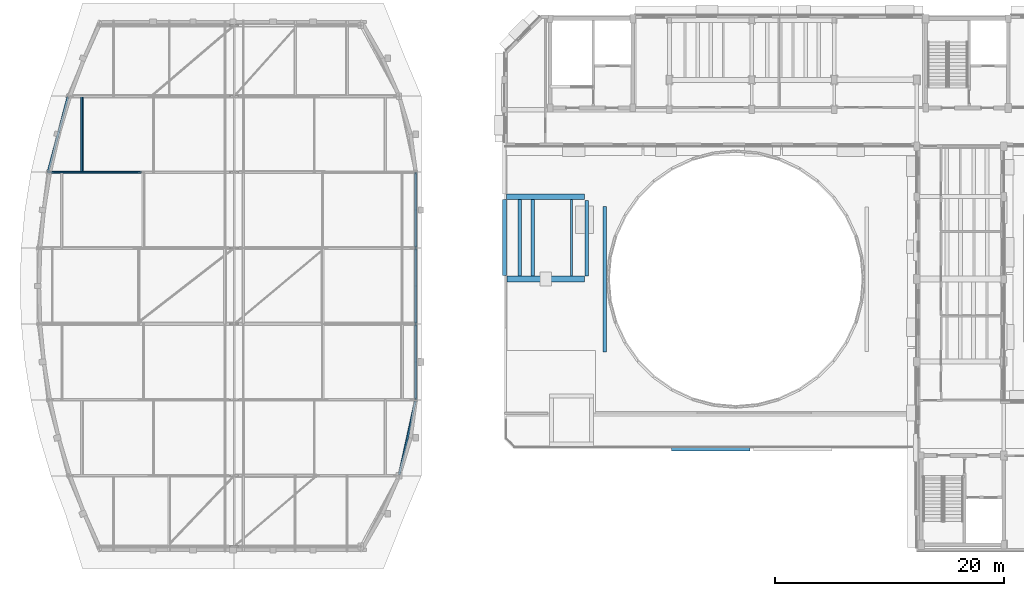
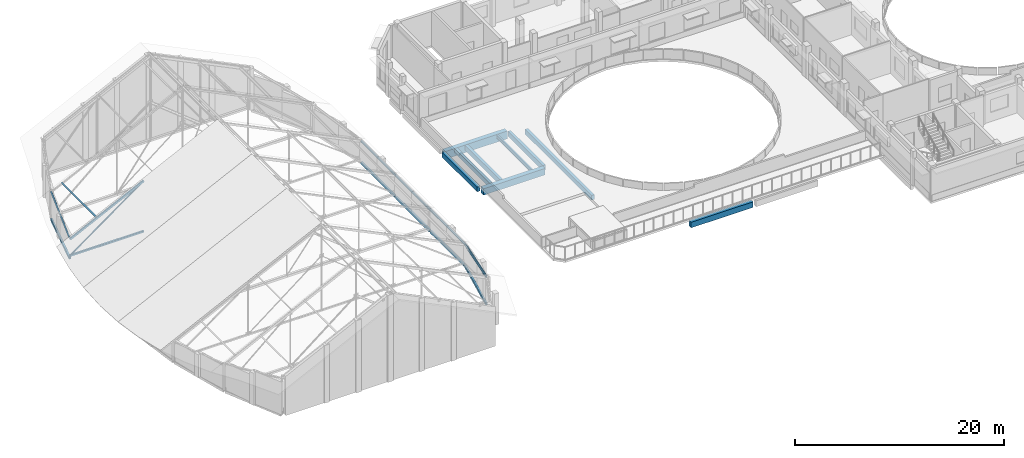
# One storey, part 20 of 78: 14 beams, 9 members.
"""IFC4 building model written with IfcOpenShell, lengths in metres."""

from ifc_helpers import new_model, si_unit, direction, frame, origin, origin_2d, place, context, subcontext, project, spatial, rectangle, hollow_rectangle, i_section, extrude, material, material_profile, profile_set, type_object, element, save


model = new_model("IFC4")

# Units and contexts
model_context = context("Model", 3, precision=1e-05, world=origin(), true_north=direction((0.0, 1.0)))
body_context = subcontext(model_context, "Body", "Model", "MODEL_VIEW")
ifc_project = project(units=[si_unit("LENGTHUNIT", "METRE"), si_unit("AREAUNIT", "SQUARE_METRE"), si_unit("VOLUMEUNIT", "CUBIC_METRE"), si_unit("PLANEANGLEUNIT", "RADIAN"), si_unit("MASSUNIT", "GRAM", prefix="KILO")], contexts=[model_context])

# Site, building, storey
site_placement = place(None, origin())
site = spatial("IfcSite", under=ifc_project, at=site_placement, CompositionType="ELEMENT")
building_placement = place(site_placement, origin())
building = spatial("IfcBuilding", under=site, at=building_placement, Name="Kelanivale Promenade Academy", CompositionType="ELEMENT")
storey_placement = place(building_placement, frame((0.0, 0.0, 16.199951171875)))
storey = spatial("IfcBuildingStorey", under=building, at=storey_placement, Name="L04", CompositionType="ELEMENT", Elevation=16.199951171875)

# Beams
ifc_material_1 = material(Name="Concrete C35/45", Category="concrete")
ifc_material_profile_1 = material_profile(ifc_material_1, rectangle(XDim=0.39990234375, YDim=0.64990234375, at=origin_2d()), Name="RC-BM 400x650")
ifc_profile_set_1 = profile_set([ifc_material_profile_1], Name="Concrete C35/45")
beam_type_1 = type_object("IfcBeamType", Name="BM-01 RC-BM 400x650", PredefinedType="BEAM", material=ifc_profile_set_1)
beam_1_placement = place(storey_placement, frame((57.794921875, 42.0, -0.56005859375), z_axis=(1.0, 0.0, 0.0), x_axis=(0.0, 1.0, 0.0)))
element("IfcBeam", 1, at=beam_1_placement, inside=storey, type_object=beam_type_1, Name="L04 girder BM-01", PredefinedType="BEAM", context=body_context, shape_type="SweptSolid", body=[
    extrude(rectangle(XDim=0.39990234375, YDim=0.64990234375, at=origin_2d()), origin(), (0.0, 0.0, 1.0), 6.8349609375),
])
ifc_material_profile_2 = material_profile(ifc_material_1, rectangle(XDim=0.5, YDim=0.75, at=origin_2d()), Name="RC-BM 500x750")
ifc_profile_set_2 = profile_set([ifc_material_profile_2], Name="Concrete C35/45")
beam_type_2 = type_object("IfcBeamType", Name="BM-06 RC-BM 500x750", PredefinedType="BEAM", material=ifc_profile_set_2)
beam_2_placement = place(storey_placement, frame((43.419921875, 56.800048828125, -0.614990234375), z_axis=(1.0, 0.0, 0.0), x_axis=(0.0, 1.0, 0.0)))
element("IfcBeam", 2, at=beam_2_placement, inside=storey, type_object=beam_type_2, Name="L04 girder BM-06", PredefinedType="BEAM", context=body_context, shape_type="SweptSolid", body=[
    extrude(rectangle(XDim=0.5, YDim=0.75, at=origin_2d()), origin(), (0.0, 0.0, 1.0), 6.78515625),
])
ifc_material_profile_3 = material_profile(ifc_material_1, rectangle(XDim=0.5, YDim=0.89990234375, at=origin_2d()), Name="RC-BM 500x900")
ifc_profile_set_3 = profile_set([ifc_material_profile_3], Name="Concrete C35/45")
beam_type_3 = type_object("IfcBeamType", Name="BM-08 RC-BM 500x900", PredefinedType="BEAM", material=ifc_profile_set_3)
beam_3_placement = place(storey_placement, frame((43.3701171875, 64.0, -0.68994140625), z_axis=(1.0, 0.0, 0.0), x_axis=(0.0, 1.0, 0.0)))
element("IfcBeam", 3, at=beam_3_placement, inside=storey, type_object=beam_type_3, Name="L04 girder BM-08", PredefinedType="BEAM", context=body_context, shape_type="SweptSolid", body=[
    extrude(rectangle(XDim=0.5, YDim=0.89990234375, at=origin_2d()), origin(), (0.0, 0.0, 1.0), 6.8349609375),
])
ifc_material_profile_4 = material_profile(ifc_material_1, rectangle(XDim=0.300048828125, YDim=0.550048828125, at=origin_2d()), Name="RC-BM 300x550")
ifc_profile_set_4 = profile_set([ifc_material_profile_4], Name="Concrete C35/45")
beam_type_4 = type_object("IfcBeamType", Name="JS-02 RC-BM 300x550", PredefinedType="JOIST", material=ifc_profile_set_4)
beam_4_placement = place(storey_placement, frame((44.551025390625, 57.050048828125, -0.514892578125), z_axis=(0.0, 1.0, 0.0), x_axis=(-1.0, 0.0, 0.0)))
element("IfcBeam", 4, at=beam_4_placement, inside=storey, type_object=beam_type_4, Name="L04 secondary sub-beam JS-02", PredefinedType="JOIST", context=body_context, shape_type="SweptSolid", body=[
    extrude(rectangle(XDim=0.300048828125, YDim=0.550048828125, at=origin_2d()), origin(), (0.0, 0.0, 1.0), 6.699951171875),
])
ifc_material_profile_5 = material_profile(ifc_material_1, rectangle(XDim=0.300048828125, YDim=0.60009765625, at=origin_2d()), Name="RC-BM 300x600")
ifc_profile_set_5 = profile_set([ifc_material_profile_5], Name="Concrete C35/45")
beam_type_5 = type_object("IfcBeamType", Name="JS-03 RC-BM 300x600", PredefinedType="JOIST", material=ifc_profile_set_5)
beam_5_placement = place(storey_placement, frame((50.39990234375, 57.070068359375, -0.5400390625), z_axis=(0.0, 1.0, 0.0), x_axis=(-1.0, 0.0, 0.0)))
element("IfcBeam", 5, at=beam_5_placement, inside=storey, type_object=beam_type_5, Name="L04 beam JS-03", PredefinedType="JOIST", context=body_context, shape_type="SweptSolid", body=[
    extrude(rectangle(XDim=0.300048828125, YDim=0.60009765625, at=origin_2d()), origin(), (0.0, 0.0, 1.0), 6.60986328125),
])
beam_6_placement = place(storey_placement, frame((45.681884765625, 57.050048828125, -0.5400390625), z_axis=(0.0, 1.0, 0.0), x_axis=(-1.0, 0.0, 0.0)))
element("IfcBeam", 6, at=beam_6_placement, inside=storey, type_object=beam_type_5, Name="L04 secondary sub-beam JS-03", PredefinedType="JOIST", context=body_context, shape_type="SweptSolid", body=[
    extrude(rectangle(XDim=0.300048828125, YDim=0.60009765625, at=origin_2d()), origin(), (0.0, 0.0, 1.0), 6.699951171875),
])
ifc_material_profile_6 = material_profile(ifc_material_1, rectangle(XDim=0.320068359375, YDim=0.550048828125, at=origin_2d()), Name="RC-BM 320x550")
ifc_profile_set_6 = profile_set([ifc_material_profile_6], Name="Concrete C35/45")
beam_type_6 = type_object("IfcBeamType", Name="JS-04 RC-BM 320x550", PredefinedType="JOIST", material=ifc_profile_set_6)
beam_7_placement = place(storey_placement, frame((51.968017578125, 50.419921875, -0.514892578125), z_axis=(0.0, 1.0, 0.0), x_axis=(-1.0, 0.0, 0.0)))
element("IfcBeam", 7, at=beam_7_placement, inside=storey, type_object=beam_type_6, Name="L04 beam JS-04", PredefinedType="JOIST", context=body_context, shape_type="SweptSolid", body=[
    extrude(rectangle(XDim=0.320068359375, YDim=0.550048828125, at=origin_2d()), origin(), (0.0, 0.0, 1.0), 12.735107421875),
])
ifc_material_profile_7 = material_profile(ifc_material_1, rectangle(XDim=0.35009765625, YDim=0.550048828125, at=origin_2d()), Name="RC-BM 350x550")
ifc_profile_set_7 = profile_set([ifc_material_profile_7], Name="Concrete C35/45")
beam_type_7 = type_object("IfcBeamType", Name="JS-06 RC-BM 350x550", PredefinedType="JOIST", material=ifc_profile_set_7)
beam_8_placement = place(storey_placement, frame((43.199951171875, 57.094970703125, -0.514892578125), z_axis=(0.0, 1.0, 0.0), x_axis=(-1.0, 0.0, 0.0)))
element("IfcBeam", 8, at=beam_8_placement, inside=storey, type_object=beam_type_7, Name="L04 beam JS-06", PredefinedType="JOIST", context=body_context, shape_type="SweptSolid", body=[
    extrude(rectangle(XDim=0.35009765625, YDim=0.550048828125, at=origin_2d()), origin(), (0.0, 0.0, 1.0), 6.659912109375),
])

# Members
ifc_material_2 = material(Name="Steel S355", Category="steel")
ifc_material_profile_8 = material_profile(ifc_material_2, i_section(OverallWidth=0.13330078125, OverallDepth=0.203125, WebThickness=0.005615234375, FlangeThickness=0.0078125, FilletRadius=0.007568359375, at=origin_2d()), Name="UB 203x133x25")
ifc_profile_set_8 = profile_set([ifc_material_profile_8], Name="Steel S355")
member_type_1 = type_object("IfcMemberType", Name="PR-01 UB 203x133x25", PredefinedType="PURLIN", material=ifc_profile_set_8)
member_1_placement = place(storey_placement, frame((34.0, 39.62890625, 3.053955078125), z_axis=(0.212548160405, 0.971623170035, -0.103786776423), x_axis=(-0.8680732411, 0.236519027735, 0.436471760376)))
element("IfcMember", 9, at=member_1_placement, inside=storey, type_object=member_type_1, Name="Sports Hall Crescent Pavilion roof tie purlin PR-01", PredefinedType="PURLIN", context=body_context, shape_type="SweptSolid", body=[
    extrude(i_section(OverallWidth=0.13330078125, OverallDepth=0.203125, WebThickness=0.005615234375, FlangeThickness=0.0078125, FilletRadius=0.007568359375, at=origin_2d()), origin(), (0.0, 0.0, 1.0), 6.82177734375),
])
member_2_placement = place(storey_placement, frame((35.449951171875, 46.257080078125, 2.345947265625), z_axis=(0.0, 1.0, 0.0), x_axis=(-0.898564392509, 0.0, 0.438841694139)))
element("IfcMember", 10, at=member_2_placement, inside=storey, type_object=member_type_1, Name="Sports Hall Crescent Pavilion roof tie purlin PR-01", PredefinedType="PURLIN", context=body_context, shape_type="SweptSolid", body=[
    extrude(i_section(OverallWidth=0.13330078125, OverallDepth=0.203125, WebThickness=0.005615234375, FlangeThickness=0.0078125, FilletRadius=0.007568359375, at=origin_2d()), origin(), (0.0, 0.0, 1.0), 6.62890625),
])
member_3_placement = place(storey_placement, frame((35.449951171875, 52.885986328125, 2.345947265625), z_axis=(0.0, 1.0, 0.0), x_axis=(-0.898564392509, 0.0, 0.438841694139)))
element("IfcMember", 11, at=member_3_placement, inside=storey, type_object=member_type_1, Name="Sports Hall Crescent Pavilion roof tie purlin PR-01", PredefinedType="PURLIN", context=body_context, shape_type="SweptSolid", body=[
    extrude(i_section(OverallWidth=0.13330078125, OverallDepth=0.203125, WebThickness=0.005615234375, FlangeThickness=0.0078125, FilletRadius=0.007568359375, at=origin_2d()), origin(), (0.0, 0.0, 1.0), 6.6279296875),
])
member_4_placement = place(storey_placement, frame((35.449951171875, 59.513916015625, 2.345947265625), z_axis=(0.0, 1.0, 0.0), x_axis=(-0.898564392509, 0.0, 0.438841694139)))
element("IfcMember", 12, at=member_4_placement, inside=storey, type_object=member_type_1, Name="Sports Hall Crescent Pavilion roof tie purlin PR-01", PredefinedType="PURLIN", context=body_context, shape_type="SweptSolid", body=[
    extrude(i_section(OverallWidth=0.13330078125, OverallDepth=0.203125, WebThickness=0.005615234375, FlangeThickness=0.0078125, FilletRadius=0.007568359375, at=origin_2d()), origin(), (0.0, 0.0, 1.0), 6.629150390625),
])
member_5_placement = place(storey_placement, frame((3.35888671875, 66.14306640625, 2.155029296875), z_axis=(0.253616073009, 0.959338045152, 0.123892706141), x_axis=(-0.854823971944, 0.282223251403, -0.435460690944)))
element("IfcMember", 13, at=member_5_placement, inside=storey, type_object=member_type_1, Name="Sports Hall Crescent Pavilion roof tie purlin PR-01", PredefinedType="PURLIN", context=body_context, shape_type="SweptSolid", body=[
    extrude(i_section(OverallWidth=0.13330078125, OverallDepth=0.203125, WebThickness=0.005615234375, FlangeThickness=0.0078125, FilletRadius=0.007568359375, at=origin_2d()), origin(), (0.0, 0.0, 1.0), 6.908935546875),
])
ifc_material_profile_9 = material_profile(ifc_material_2, i_section(OverallWidth=0.14599609375, OverallDepth=0.25146484375, WebThickness=0.006103515625, FlangeThickness=0.008544921875, FilletRadius=0.007568359375, at=origin_2d()), Name="UB 254x146x31")
ifc_profile_set_9 = profile_set([ifc_material_profile_9], Name="Steel S355")
member_type_2 = type_object("IfcMemberType", Name="PR-02 UB 254x146x31", PredefinedType="PURLIN", material=ifc_profile_set_9)
member_6_placement = place(storey_placement, frame((6.31103515625, 66.14306640625, 3.587158203125), z_axis=(0.0, 1.0, 0.0), x_axis=(-0.898564392509, 0.0, -0.438841694139)))
element("IfcMember", 14, at=member_6_placement, inside=storey, type_object=member_type_2, Name="Sports Hall Crescent Pavilion roof purlin PR-02", PredefinedType="PURLIN", context=body_context, shape_type="SweptSolid", body=[
    extrude(i_section(OverallWidth=0.14599609375, OverallDepth=0.25146484375, WebThickness=0.006103515625, FlangeThickness=0.008544921875, FilletRadius=0.007568359375, at=origin_2d()), origin(), (0.0, 0.0, 1.0), 6.6279296875),
])

# Beams
ifc_material_profile_10 = material_profile(ifc_material_2, i_section(OverallWidth=0.177978515625, OverallDepth=0.406494140625, WebThickness=0.0078125, FlangeThickness=0.0126953125, FilletRadius=0.01025390625, at=origin_2d()), Name="UB 406x178x60")
ifc_profile_set_10 = profile_set([ifc_material_profile_10], Name="Steel S355")
beam_type_8 = type_object("IfcBeamType", Name="SB-05 UB 406x178x60", PredefinedType="BEAM", material=ifc_profile_set_10)
beam_9_placement = place(storey_placement, frame((49.073974609375, 57.050048828125, -0.44287109375), z_axis=(0.0, 1.0, 0.0), x_axis=(-1.0, 0.0, 0.0)))
element("IfcBeam", 15, at=beam_9_placement, inside=storey, type_object=beam_type_8, Name="L04 secondary sub-beam SB-05", PredefinedType="BEAM", context=body_context, shape_type="SweptSolid", body=[
    extrude(i_section(OverallWidth=0.177978515625, OverallDepth=0.406494140625, WebThickness=0.0078125, FlangeThickness=0.0126953125, FilletRadius=0.01025390625, at=origin_2d()), origin(), (0.0, 0.0, 1.0), 6.699951171875),
])
ifc_material_profile_11 = material_profile(ifc_material_2, hollow_rectangle(XDim=0.199951171875, YDim=0.300048828125, WallThickness=0.012451171875, InnerFilletRadius=0.012451171875, OuterFilletRadius=0.02490234375, at=origin_2d()), Name="RHS 300x200x12.5")
ifc_profile_set_11 = profile_set([ifc_material_profile_11], Name="Steel S355")
beam_type_9 = type_object("IfcBeamType", Name="SB-14 RHS 300x200x12.5", PredefinedType="SPANDREL", material=ifc_profile_set_11)
beam_10_placement = place(storey_placement, frame((34.02099609375, 39.72705078125, -0.14990234375), z_axis=(0.213839528573, 0.976868801846, 0.0), x_axis=(-0.976868801846, 0.213839528573, 0.0)))
element("IfcBeam", 16, at=beam_10_placement, inside=storey, type_object=beam_type_9, Name="Sports Hall Crescent Pavilion inner kidney ring beam SB-14", PredefinedType="SPANDREL", context=body_context, shape_type="SweptSolid", body=[
    extrude(hollow_rectangle(XDim=0.199951171875, YDim=0.300048828125, WallThickness=0.012451171875, InnerFilletRadius=0.012451171875, OuterFilletRadius=0.02490234375, at=origin_2d()), origin(), (0.0, 0.0, 1.0), 6.584228515625),
])
beam_11_placement = place(storey_placement, frame((35.449951171875, 46.35693359375, -0.14990234375), z_axis=(0.0, 1.0, 0.0), x_axis=(-1.0, 0.0, 0.0)))
element("IfcBeam", 17, at=beam_11_placement, inside=storey, type_object=beam_type_9, Name="Sports Hall Crescent Pavilion inner kidney ring beam SB-14", PredefinedType="SPANDREL", context=body_context, shape_type="SweptSolid", body=[
    extrude(hollow_rectangle(XDim=0.199951171875, YDim=0.300048828125, WallThickness=0.012451171875, InnerFilletRadius=0.012451171875, OuterFilletRadius=0.02490234375, at=origin_2d()), origin(), (0.0, 0.0, 1.0), 6.428955078125),
])
beam_12_placement = place(storey_placement, frame((35.449951171875, 52.986083984375, -0.14990234375), z_axis=(0.0, 1.0, 0.0), x_axis=(-1.0, 0.0, 0.0)))
element("IfcBeam", 18, at=beam_12_placement, inside=storey, type_object=beam_type_9, Name="Sports Hall Crescent Pavilion inner kidney ring beam SB-14", PredefinedType="SPANDREL", context=body_context, shape_type="SweptSolid", body=[
    extrude(hollow_rectangle(XDim=0.199951171875, YDim=0.300048828125, WallThickness=0.012451171875, InnerFilletRadius=0.012451171875, OuterFilletRadius=0.02490234375, at=origin_2d()), origin(), (0.0, 0.0, 1.0), 6.427978515625),
])
beam_13_placement = place(storey_placement, frame((35.449951171875, 59.614013671875, -0.14990234375), z_axis=(0.0, 1.0, 0.0), x_axis=(-1.0, 0.0, 0.0)))
element("IfcBeam", 19, at=beam_13_placement, inside=storey, type_object=beam_type_9, Name="Sports Hall Crescent Pavilion inner kidney ring beam SB-14", PredefinedType="SPANDREL", context=body_context, shape_type="SweptSolid", body=[
    extrude(hollow_rectangle(XDim=0.199951171875, YDim=0.300048828125, WallThickness=0.012451171875, InnerFilletRadius=0.012451171875, OuterFilletRadius=0.02490234375, at=origin_2d()), origin(), (0.0, 0.0, 1.0), 6.428955078125),
])
beam_14_placement = place(storey_placement, frame((3.385009765625, 66.239990234375, -0.14990234375), z_axis=(0.255444826884, 0.966823634598, 0.0), x_axis=(-0.966823634598, 0.255444826884, 0.0)))
element("IfcBeam", 20, at=beam_14_placement, inside=storey, type_object=beam_type_9, Name="Sports Hall Crescent Pavilion curved ring beam SB-14", PredefinedType="SPANDREL", context=body_context, shape_type="SweptSolid", body=[
    extrude(hollow_rectangle(XDim=0.199951171875, YDim=0.300048828125, WallThickness=0.012451171875, InnerFilletRadius=0.012451171875, OuterFilletRadius=0.02490234375, at=origin_2d()), origin(), (0.0, 0.0, 1.0), 6.65478515625),
])

# Members
ifc_material_profile_12 = material_profile(ifc_material_2, hollow_rectangle(XDim=0.199951171875, YDim=0.199951171875, WallThickness=0.012451171875, InnerFilletRadius=0.012451171875, OuterFilletRadius=0.02490234375, at=origin_2d()), Name="SHS 200x200x12.5")
ifc_profile_set_12 = profile_set([ifc_material_profile_12], Name="Steel S355")
member_type_3 = type_object("IfcMemberType", Name="TC-03 SHS 200x200x12.5", PredefinedType="CHORD", material=ifc_profile_set_12)
member_7_placement = place(storey_placement, frame((3.35888671875, 66.14306640625, 0.199951171875), z_axis=(1.0, 0.0, 0.0), x_axis=(0.0, 1.0, 0.0)))
element("IfcMember", 21, at=member_7_placement, inside=storey, type_object=member_type_3, Name="ROOF TRUSS SH-TR6 bottom chord 1", PredefinedType="CHORD", context=body_context, shape_type="SweptSolid", body=[
    extrude(hollow_rectangle(XDim=0.199951171875, YDim=0.199951171875, WallThickness=0.012451171875, InnerFilletRadius=0.012451171875, OuterFilletRadius=0.02490234375, at=origin_2d()), origin(), (0.0, 0.0, 1.0), 8.12109375),
])
ifc_material_profile_13 = material_profile(ifc_material_2, hollow_rectangle(XDim=0.14990234375, YDim=0.25, WallThickness=0.010009765625, InnerFilletRadius=0.010009765625, OuterFilletRadius=0.02001953125, at=origin_2d()), Name="RHS 250x150x10.0")
ifc_profile_set_13 = profile_set([ifc_material_profile_13], Name="Steel S355")
member_type_4 = type_object("IfcMemberType", Name="TC-06 RHS 250x150x10.0", PredefinedType="CHORD", material=ifc_profile_set_13)
member_8_placement = place(storey_placement, frame((3.35888671875, 66.14306640625, 2.110107421875), z_axis=(0.898580397194, 0.0, 0.438808921718), x_axis=(0.0, 1.0, 0.0)))
element("IfcMember", 22, at=member_8_placement, inside=storey, type_object=member_type_4, Name="ROOF TRUSS SH-TR6 top chord 1", PredefinedType="CHORD", context=body_context, shape_type="SweptSolid", body=[
    extrude(hollow_rectangle(XDim=0.14990234375, YDim=0.25, WallThickness=0.010009765625, InnerFilletRadius=0.010009765625, OuterFilletRadius=0.02001953125, at=origin_2d()), origin(), (0.0, 0.0, 1.0), 9.03759765625),
])
ifc_material_profile_14 = material_profile(ifc_material_2, hollow_rectangle(XDim=0.1201171875, YDim=0.1201171875, WallThickness=0.008056640625, InnerFilletRadius=0.008056640625, OuterFilletRadius=0.01611328125, at=origin_2d()), Name="SHS 120x120x8.0")
ifc_profile_set_14 = profile_set([ifc_material_profile_14], Name="Steel S355")
member_type_5 = type_object("IfcMemberType", Name="TD-02 SHS 120x120x8.0", PredefinedType="BRACE", material=ifc_profile_set_14)
member_9_placement = place(storey_placement, frame((3.35888671875, 66.14306640625, 0.199951171875), z_axis=(0.81017026732, 0.0, 0.586194624635), x_axis=(0.0, 1.0, 0.0)))
element("IfcMember", 23, at=member_9_placement, inside=storey, type_object=member_type_5, Name="ROOF TRUSS SH-TR6 web diagonal 1", PredefinedType="BRACE", context=body_context, shape_type="SweptSolid", body=[
    extrude(hollow_rectangle(XDim=0.1201171875, YDim=0.1201171875, WallThickness=0.008056640625, InnerFilletRadius=0.008056640625, OuterFilletRadius=0.01611328125, at=origin_2d()), origin(), (0.0, 0.0, 1.0), 10.02392578125),
])

save(model, "model.ifc")
